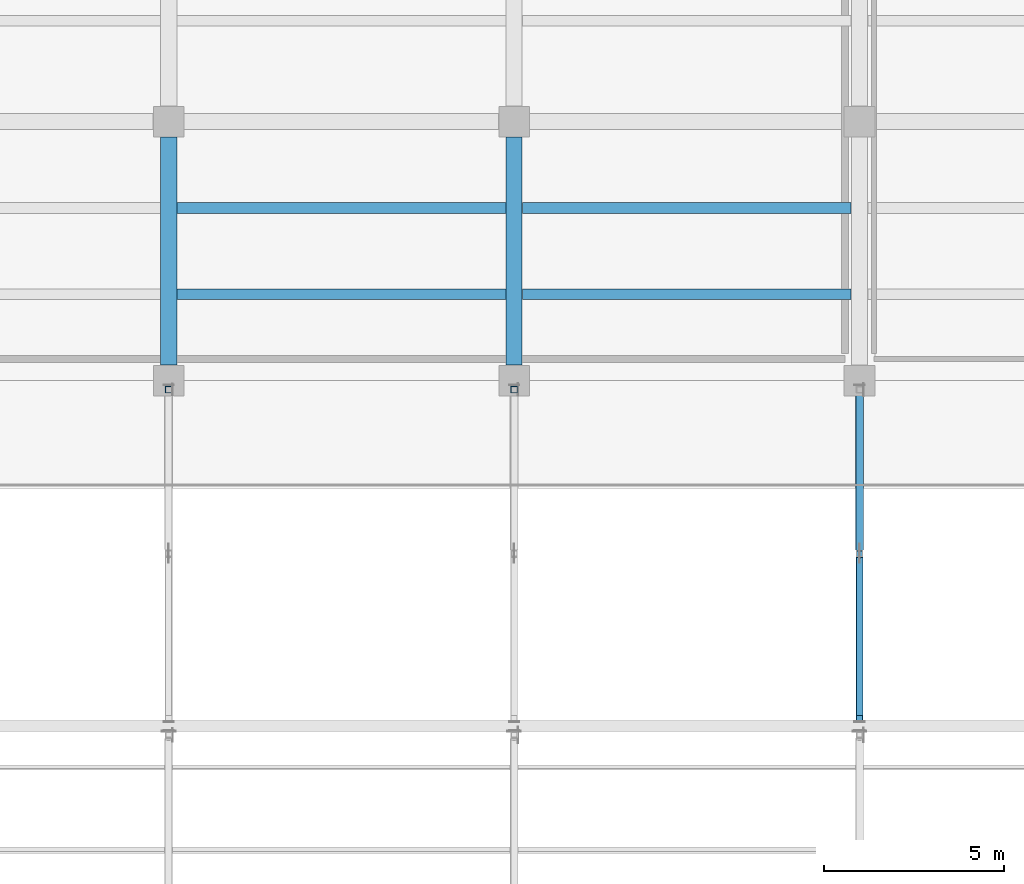
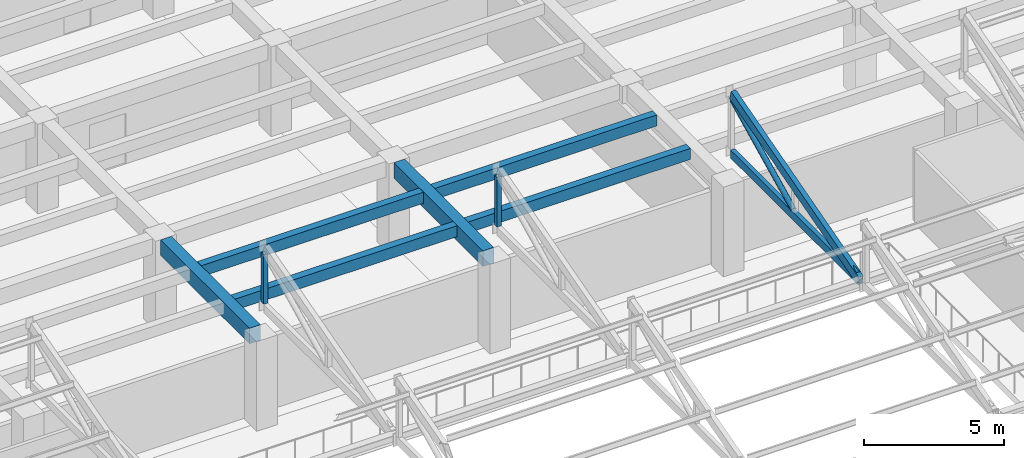
# One storey, part 22 of 58: 6 beams, 6 members.
"""IFC4 building model written with IfcOpenShell, lengths in metres."""

import ifcopenshell
import ifcopenshell.guid

model = None  # the IFC model being written
_history = None  # IfcOwnerHistory: only IFC2X3 demands one
_inside = {}  # id of a spatial element -> (the spatial element, [elements in it])
_under = {}  # id of a project, library or spatial element -> (it, [spatial elements below it])
_declared = {}  # id of a project -> (the project, [libraries it declares])
_typed = {}  # id of a type object -> (the type object, [elements of that type])
_made_of = {}  # id of a material, layer set ... -> (it, [elements and type objects made of it])


def new_model(schema):
    """Start an empty IFC model of exactly this schema.

    Asked for "IFC4X3", IfcOpenShell would pick the latest addendum, in which some entities
    have other attributes; the version numbers below select the first issue.
    IFC2X3 requires an IfcOwnerHistory on every rooted entity: one is made here for all.
    """
    global model, _history
    if schema == "IFC4X3":
        model = ifcopenshell.file(schema_version=(4, 3, 0, 0))
    else:
        model = ifcopenshell.file(schema=schema)
    _inside.clear()
    _under.clear()
    _declared.clear()
    _typed.clear()
    _made_of.clear()
    _history = None
    if model.schema == "IFC2X3":
        org = make("IfcOrganization", Name="unknown")
        user = make(
            "IfcPersonAndOrganization",
            ThePerson=make("IfcPerson", FamilyName="unknown"),
            TheOrganization=org,
        )
        app = make(
            "IfcApplication",
            ApplicationDeveloper=org,
            Version="unknown",
            ApplicationFullName="unknown",
            ApplicationIdentifier="unknown",
        )
        _history = make(
            "IfcOwnerHistory",
            OwningUser=user,
            OwningApplication=app,
            ChangeAction="ADDED",
            CreationDate=0,
        )
    return model


def make(cls, **values):
    """One entity of the class cls with the attributes given. An attribute that is None is left unset."""
    return model.create_entity(
        cls, **{name: value for name, value in values.items() if value is not None}
    )


def rooted(cls, **values):
    """An entity with a GlobalId (a new one), such as an element, a storey or a relation."""
    return make(cls, GlobalId=ifcopenshell.guid.new(), OwnerHistory=_history, **values)


def si_unit(unit_type, name, prefix=None):
    """IfcSIUnit, for example si_unit("LENGTHUNIT", "METRE", prefix="MILLI")."""
    return make("IfcSIUnit", UnitType=unit_type, Prefix=prefix, Name=name)


def assignment(units):
    """IfcUnitAssignment: the units of a project."""
    return None if units is None else make("IfcUnitAssignment", Units=units)


def point(xyz):
    """IfcCartesianPoint."""
    return None if xyz is None else make("IfcCartesianPoint", Coordinates=xyz)


def direction(xyz):
    """IfcDirection."""
    return None if xyz is None else make("IfcDirection", DirectionRatios=xyz)


def frame(location, z_axis=None, x_axis=None):
    """IfcAxis2Placement3D, a coordinate frame: its origin and axes. An axis left out is left unset."""
    return make(
        "IfcAxis2Placement3D",
        Location=point(location),
        Axis=direction(z_axis),
        RefDirection=direction(x_axis),
    )


def frame_2d(location, x_axis=None):
    """IfcAxis2Placement2D, a coordinate frame in the plane: its origin and x axis."""
    return make(
        "IfcAxis2Placement2D", Location=point(location), RefDirection=direction(x_axis)
    )


def origin():
    """The frame at (0, 0, 0) with its axes left unset."""
    return frame((0.0, 0.0, 0.0))


def origin_2d():
    """The frame at (0, 0) in the plane with its x axis left unset."""
    return frame_2d((0.0, 0.0))


def place(relative_to, where):
    """IfcLocalPlacement: puts the frame where relative to a parent placement (None: the world)."""
    return make(
        "IfcLocalPlacement", PlacementRelTo=relative_to, RelativePlacement=where
    )


def context(
    kind, dimensions, precision=None, world=None, true_north=None, identifier=None
):
    """IfcGeometricRepresentationContext, for example the 3D "Model" context."""
    return make(
        "IfcGeometricRepresentationContext",
        ContextIdentifier=identifier,
        ContextType=kind,
        CoordinateSpaceDimension=dimensions,
        Precision=precision,
        WorldCoordinateSystem=world,
        TrueNorth=true_north,
    )


def subcontext(parent, identifier, kind, view, scale=None):
    """IfcGeometricRepresentationSubContext, for example "Body" below "Model"."""
    return make(
        "IfcGeometricRepresentationSubContext",
        ContextIdentifier=identifier,
        ContextType=kind,
        ParentContext=parent,
        TargetScale=scale,
        TargetView=view,
    )


def project(units=None, contexts=None):
    """IfcProject with its units and contexts."""
    return rooted(
        "IfcProject",
        Name="project",
        RepresentationContexts=contexts,
        UnitsInContext=assignment(units),
    )


def spatial(cls, under=None, at=None, **own):
    """A site, building, storey or space (cls), placed at a placement, below another one or the project."""
    s = rooted(cls, ObjectPlacement=at, **own)
    if under is not None:
        _under.setdefault(under.id(), (under, []))[1].append(s)
    return s


def profile(cls, at=None, kind="AREA", **sizes):
    """A parametric profile (cls). Its sizes go by their IFC names, for example OverallWidth=200.0."""
    return make(cls, ProfileType=kind, Position=at, **sizes)


def rectangle(**sizes):
    """IfcRectangleProfileDef."""
    return profile("IfcRectangleProfileDef", **sizes)


def hollow_rectangle(**sizes):
    """IfcRectangleHollowProfileDef."""
    return profile("IfcRectangleHollowProfileDef", **sizes)


def hollow_circle(**sizes):
    """IfcCircleHollowProfileDef."""
    return profile("IfcCircleHollowProfileDef", **sizes)


def extrude(swept, where, along, depth):
    """IfcExtrudedAreaSolid: the profile swept, set in the frame where, extruded along a direction by depth."""
    return make(
        "IfcExtrudedAreaSolid",
        SweptArea=swept,
        Position=where,
        ExtrudedDirection=direction(along),
        Depth=depth,
    )


def shape(context_of_items, identifier, shape_type, items):
    """IfcShapeRepresentation: the items that make up one representation, for example the "Body"."""
    return make(
        "IfcShapeRepresentation",
        ContextOfItems=context_of_items,
        RepresentationIdentifier=identifier,
        RepresentationType=shape_type,
        Items=items,
    )


def material(Name=None, Category=None):
    """IfcMaterial."""
    return make("IfcMaterial", Name=Name, Category=Category)


def material_profile(
    of_material, cross_section, Name=None, Category=None, Priority=None
):
    """IfcMaterialProfile: a cross section and its material."""
    return make(
        "IfcMaterialProfile",
        Name=Name,
        Material=of_material,
        Profile=cross_section,
        Priority=Priority,
        Category=Category,
    )


def profile_set(profiles, Name=None, composite=None):
    """IfcMaterialProfileSet."""
    return make(
        "IfcMaterialProfileSet",
        Name=Name,
        MaterialProfiles=profiles,
        CompositeProfile=composite,
    )


def made_of(thing, what):
    """Note that an element or type object is made of a material, layer set ...; save() writes the relation."""
    if what is not None:
        _made_of.setdefault(what.id(), (what, []))[1].append(thing)
    return thing


def type_object(cls, material=None, **own):
    """A type object (cls), such as IfcWallType, which elements share."""
    return made_of(rooted(cls, **own), material)


def element(
    cls,
    number,
    at=None,
    inside=None,
    cuts=None,
    type_object=None,
    material=None,
    context=None,
    identifier="Body",
    shape_type=None,
    held_by="IfcProductDefinitionShape",
    body=None,
    shapes=None,
    **own,
):
    """One element of the class cls, such as IfcWall. Its Tag is "e" and its number.

    at: its placement. inside: the storey or other place that contains it. cuts: it is an
    opening in that element (IfcRelVoidsElement). A single representation is given by context,
    identifier, shape_type and body (its items); several are given by shapes. held_by: the class
    of the entity that holds the representations. save() writes the other relations.
    """
    e = rooted(cls, Tag="e%d" % number, ObjectPlacement=at, **own)
    if body is not None:
        shapes = [shape(context, identifier, shape_type, body)]
    if shapes is not None:
        e.Representation = make(held_by, Representations=shapes)
    if inside is not None:
        _inside.setdefault(inside.id(), (inside, []))[1].append(e)
    if cuts is not None:
        rooted(
            "IfcRelVoidsElement", RelatingBuildingElement=cuts, RelatedOpeningElement=e
        )
    if type_object is not None:
        _typed.setdefault(type_object.id(), (type_object, []))[1].append(e)
    return made_of(e, material)


def aggregate(whole, parts):
    """IfcRelAggregates: a whole, such as a stair, and the parts it consists of."""
    return rooted("IfcRelAggregates", RelatingObject=whole, RelatedObjects=parts)


def save(model, path):
    """Write the relations noted so far, then the file.

    IfcRelAggregates (storeys below a building ...), IfcRelContainedInSpatialStructure (elements
    in a storey), IfcRelDefinesByType, IfcRelAssociatesMaterial and IfcRelDeclares: one each for
    every whole, place, type object, material and project.
    """
    for whole, parts in _under.values():
        aggregate(whole, parts)
    for where, things in _inside.values():
        rooted(
            "IfcRelContainedInSpatialStructure",
            RelatedElements=things,
            RelatingStructure=where,
        )
    for kind, things in _typed.values():
        rooted("IfcRelDefinesByType", RelatedObjects=things, RelatingType=kind)
    for what, things in _made_of.values():
        rooted("IfcRelAssociatesMaterial", RelatedObjects=things, RelatingMaterial=what)
    for by, libraries in _declared.values():
        rooted("IfcRelDeclares", RelatingContext=by, RelatedDefinitions=libraries)
    model.write(path)


model = new_model("IFC4")

# Units and contexts
model_context = context("Model", 3, precision=1e-05, world=origin(), true_north=direction((0.0, 1.0)))
body_context = subcontext(model_context, "Body", "Model", "MODEL_VIEW")
ifc_project = project(units=[si_unit("LENGTHUNIT", "METRE"), si_unit("AREAUNIT", "SQUARE_METRE"), si_unit("VOLUMEUNIT", "CUBIC_METRE"), si_unit("PLANEANGLEUNIT", "RADIAN"), si_unit("MASSUNIT", "GRAM", prefix="KILO")], contexts=[model_context])

# Site, building, storey
site_placement = place(None, origin())
site = spatial("IfcSite", under=ifc_project, at=site_placement, CompositionType="ELEMENT")
building_placement = place(site_placement, origin())
building = spatial("IfcBuilding", under=site, at=building_placement, Name="Bempovik Park Faculty of Sciences", CompositionType="ELEMENT")
storey_placement = place(building_placement, frame((0.0, 0.0, 18.300048828125)))
storey = spatial("IfcBuildingStorey", under=building, at=storey_placement, Name="L04", CompositionType="ELEMENT", Elevation=18.300048828125)

# Beams
ifc_material_1 = material(Name="Concrete C35/45", Category="concrete")
ifc_material_profile_1 = material_profile(ifc_material_1, rectangle(XDim=0.300048828125, YDim=0.47998046875, at=origin_2d()), Name="RC 300x480")
ifc_profile_set_1 = profile_set([ifc_material_profile_1], Name="Concrete C35/45")
beam_type_1 = type_object("IfcBeamType", Name="B-039 RC 300x480", PredefinedType="JOIST", material=ifc_profile_set_1)
for number, where, z_axis, x_axis, name in (
    (1, (79.430908203125, 89.39990234375, 3.659912109375), (1.0, 0.0, 0.0), (0.0, 1.0, 0.0), "L04 Secondary Joist (79.2-88.8, y=89.40)"),
    (2, (79.430908203125, 91.800048828125, 3.659912109375), (1.0, 0.0, 0.0), (0.0, 1.0, 0.0), "L04 Secondary Joist (79.2-88.8, y=91.80)"),
):
    element("IfcBeam", number, at=place(storey_placement, frame(where, z_axis=z_axis, x_axis=x_axis)), inside=storey, type_object=beam_type_1, Name=name, PredefinedType="JOIST", context=body_context, shape_type="SweptSolid", body=[
        extrude(rectangle(XDim=0.300048828125, YDim=0.47998046875, at=origin_2d()), origin(), (0.0, 0.0, 1.0), 9.13818359375),
    ])
for number, where, z_axis, x_axis, name in (
    (3, (89.031005859375, 89.39990234375, 3.659912109375), (1.0, 0.0, 0.0), (0.0, 1.0, 0.0), "L04 Secondary Joist (88.8-98.4, y=89.40)"),
    (4, (89.031005859375, 91.800048828125, 3.659912109375), (1.0, 0.0, 0.0), (0.0, 1.0, 0.0), "L04 Secondary Joist (88.8-98.4, y=91.80)"),
):
    element("IfcBeam", number, at=place(storey_placement, frame(where, z_axis=z_axis, x_axis=x_axis)), inside=storey, type_object=beam_type_1, Name=name, PredefinedType="JOIST", context=body_context, shape_type="SweptSolid", body=[
        extrude(rectangle(XDim=0.300048828125, YDim=0.47998046875, at=origin_2d()), origin(), (0.0, 0.0, 1.0), 9.137939453125),
    ])
ifc_material_profile_2 = material_profile(ifc_material_1, rectangle(XDim=0.449951171875, YDim=0.679931640625, at=origin_2d()), Name="RC 450x680")
ifc_profile_set_2 = profile_set([ifc_material_profile_2], Name="Concrete C35/45")
beam_type_2 = type_object("IfcBeamType", Name="B-113 RC 450x680", PredefinedType="BEAM", material=ifc_profile_set_2)
for number, where, z_axis, x_axis, name in (
    (5, (79.199951171875, 87.430908203125, 3.56005859375), (0.0, 1.0, 0.0), (-1.0, 0.0, 0.0), "L04 Beam Y (x=79.2, 87.0-94.2)"),
    (6, (88.800048828125, 87.430908203125, 3.56005859375), (0.0, 1.0, 0.0), (-1.0, 0.0, 0.0), "L04 Beam Y (x=88.8, 87.0-94.2)"),
):
    element("IfcBeam", number, at=place(storey_placement, frame(where, z_axis=z_axis, x_axis=x_axis)), inside=storey, type_object=beam_type_2, Name=name, PredefinedType="BEAM", context=body_context, shape_type="SweptSolid", body=[
        extrude(rectangle(XDim=0.449951171875, YDim=0.679931640625, at=origin_2d()), origin(), (0.0, 0.0, 1.0), 6.338134765625),
    ])

# Members
ifc_material_2 = material(Name="Steel S355", Category="steel")
ifc_material_profile_3 = material_profile(ifc_material_2, hollow_rectangle(XDim=0.175048828125, YDim=0.35009765625, WallThickness=0.012451171875, at=origin_2d()), Name="RHS 350x175x12.5")
ifc_profile_set_3 = profile_set([ifc_material_profile_3], Name="Steel S355")
member_type_1 = type_object("IfcMemberType", Name="M-15 RHS 350x175x12.5", PredefinedType="CHORD", material=ifc_profile_set_3)
member_1_placement = place(storey_placement, frame((98.39990234375, 77.555908203125, 5.179931640625), z_axis=(0.0, 1.0, 0.0), x_axis=(-1.0, 0.0, 0.0)))
element("IfcMember", 7, at=member_1_placement, inside=storey, type_object=member_type_1, Name="Sawtooth Bottom Chord V2-B2 (98.4)", PredefinedType="CHORD", context=body_context, shape_type="SweptSolid", body=[
    extrude(hollow_rectangle(XDim=0.175048828125, YDim=0.35009765625, WallThickness=0.012451171875, at=origin_2d()), origin(), (0.0, 0.0, 1.0), 9.088134765625),
])
ifc_material_profile_4 = material_profile(ifc_material_2, hollow_circle(Radius=0.109619140625, WallThickness=0.010009765625, at=origin_2d()), Name="CHS 219.1x10")
ifc_profile_set_4 = profile_set([ifc_material_profile_4], Name="Steel S355")
member_type_2 = type_object("IfcMemberType", Name="M-22 CHS 219.1x10", PredefinedType="BRACE", material=ifc_profile_set_4)
member_2_placement = place(storey_placement, frame((98.39990234375, 82.304931640625, 5.36083984375), z_axis=(0.0, 0.896782958268, 0.442470706105), x_axis=(-1.0, 0.0, 0.0)))
element("IfcMember", 8, at=member_2_placement, inside=storey, type_object=member_type_2, Name="Sawtooth Web Diagonal 2 V2-B2 (98.4)", PredefinedType="BRACE", context=body_context, shape_type="SweptSolid", body=[
    extrude(hollow_circle(Radius=0.109619140625, WallThickness=0.010009765625, at=origin_2d()), origin(), (0.0, 0.0, 1.0), 4.844970703125),
])
ifc_material_profile_5 = material_profile(ifc_material_2, hollow_rectangle(XDim=0.179931640625, YDim=0.179931640625, WallThickness=0.008056640625, at=origin_2d()), Name="SHS 180x180x8")
ifc_profile_set_5 = profile_set([ifc_material_profile_5], Name="Steel S355")
member_type_3 = type_object("IfcMemberType", Name="M-40 SHS 180x180x8", PredefinedType="POST", material=ifc_profile_set_5)
for number, where, z_axis, x_axis, name in (
    (9, (79.199951171875, 86.75, 5.36083984375), (0.0, 0.0, 1.0), (1.0, 0.0, 0.0), "Sawtooth North-Light Post V2-B2 (79.2)"),
    (10, (88.800048828125, 86.75, 5.36083984375), (0.0, 0.0, 1.0), (1.0, 0.0, 0.0), "Sawtooth North-Light Post V2-B2 (88.8)"),
):
    element("IfcMember", number, at=place(storey_placement, frame(where, z_axis=z_axis, x_axis=x_axis)), inside=storey, type_object=member_type_3, Name=name, PredefinedType="POST", context=body_context, shape_type="SweptSolid", body=[
        extrude(hollow_rectangle(XDim=0.179931640625, YDim=0.179931640625, WallThickness=0.008056640625, at=origin_2d()), origin(), (0.0, 0.0, 1.0), 2.143798828125),
    ])
ifc_material_profile_6 = material_profile(ifc_material_2, hollow_rectangle(XDim=0.199951171875, YDim=0.39990234375, WallThickness=0.01611328125, at=origin_2d()), Name="RHS 400x200x16")
ifc_profile_set_6 = profile_set([ifc_material_profile_6], Name="Steel S355")
member_type_4 = type_object("IfcMemberType", Name="M-53 RHS 400x200x16", PredefinedType="CHORD", material=ifc_profile_set_6)
member_3_placement = place(storey_placement, frame((98.39990234375, 77.555908203125, 5.182373046875), z_axis=(0.0, 0.962201828539, 0.272337366434), x_axis=(-1.0, 0.0, 0.0)))
element("IfcMember", 11, at=member_3_placement, inside=storey, type_object=member_type_4, Name="Sawtooth Top Rafter Chord V2-B2 (98.4)", PredefinedType="CHORD", context=body_context, shape_type="SweptSolid", body=[
    extrude(hollow_rectangle(XDim=0.199951171875, YDim=0.39990234375, WallThickness=0.01611328125, at=origin_2d()), origin(), (0.0, 0.0, 1.0), 9.445068359375),
])
ifc_material_profile_7 = material_profile(ifc_material_2, hollow_circle(Radius=0.096923828125, WallThickness=0.008056640625, at=origin_2d()), Name="CHS 193.7x8")
ifc_profile_set_7 = profile_set([ifc_material_profile_7], Name="Steel S355")
member_type_5 = type_object("IfcMemberType", Name="M-74 CHS 193.7x8", PredefinedType="BRACE", material=ifc_profile_set_7)
member_4_placement = place(storey_placement, frame((98.39990234375, 77.7099609375, 5.36083984375), z_axis=(0.0, 0.980118341504, 0.198413801554), x_axis=(-1.0, 0.0, 0.0)))
element("IfcMember", 12, at=member_4_placement, inside=storey, type_object=member_type_5, Name="Sawtooth Web Diagonal 1 V2-B2 (98.4)", PredefinedType="BRACE", context=body_context, shape_type="SweptSolid", body=[
    extrude(hollow_circle(Radius=0.096923828125, WallThickness=0.008056640625, at=origin_2d()), origin(), (0.0, 0.0, 1.0), 4.473876953125),
])

save(model, "model.ifc")
